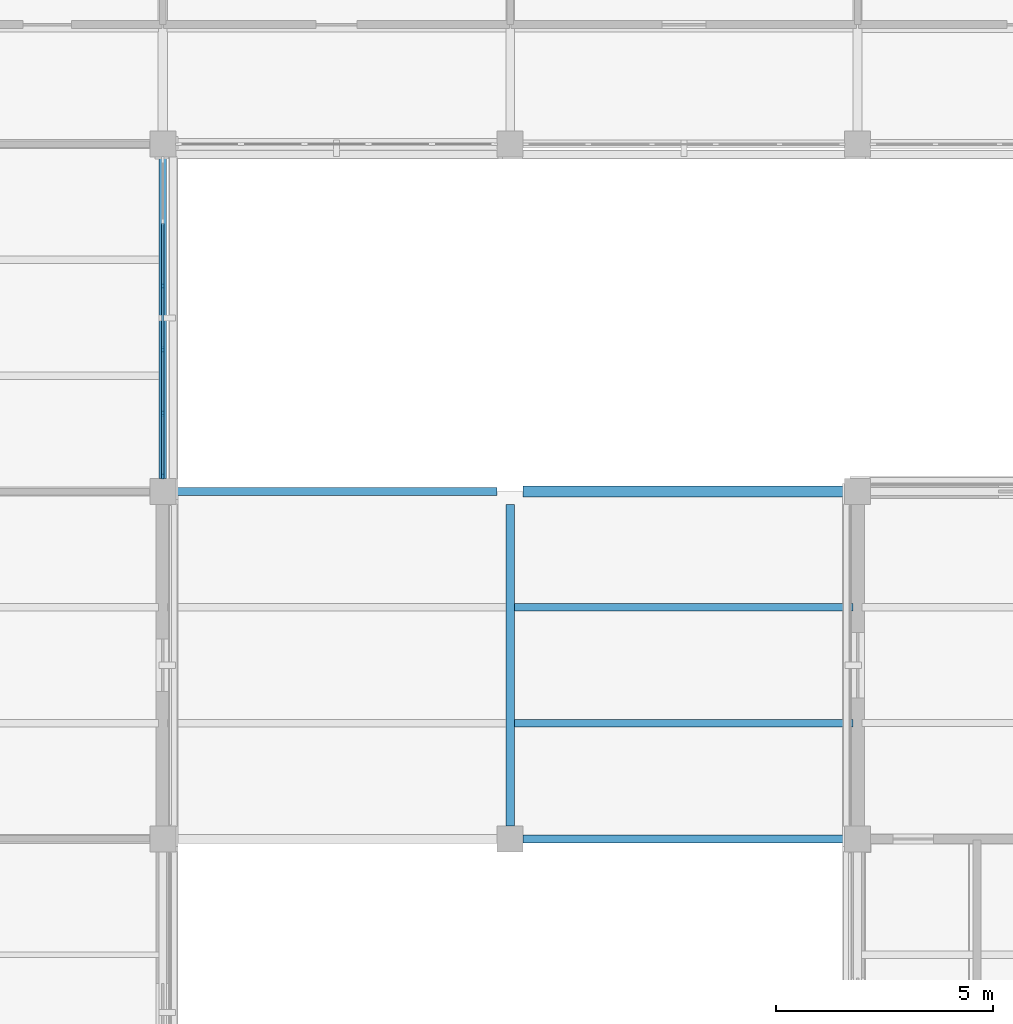
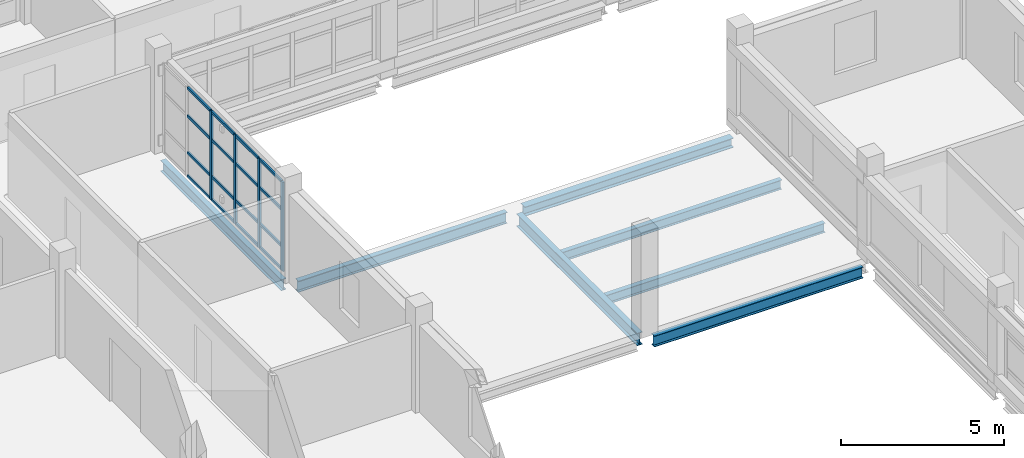
# One storey, part 13 of 126: 20 members, 7 beams, 1 element without a shape of its own.
"""IFC4 building model written with IfcOpenShell, lengths in metres."""

from ifc_helpers import new_model, si_unit, derived_unit, direction, frame, origin, origin_2d, place, context, subcontext, project, spatial, rectangle, i_section, extrude, material, layer, layer_set, material_profile, profile_set, type_object, element, aggregate, save


model = new_model("IFC4")

# Units and contexts
model_context = context("Model", 3, precision=1e-05, world=origin(), true_north=direction((0.0, 1.0)))
body_context = subcontext(model_context, "Body", "Model", "MODEL_VIEW")
ifc_project = project(units=[si_unit("LENGTHUNIT", "METRE"), si_unit("AREAUNIT", "SQUARE_METRE"), si_unit("VOLUMEUNIT", "CUBIC_METRE"), si_unit("PLANEANGLEUNIT", "RADIAN"), si_unit("MASSUNIT", "GRAM", prefix="KILO"), derived_unit("THERMALTRANSMITTANCEUNIT", [(si_unit("MASSUNIT", "GRAM", prefix="KILO"), 1), (si_unit("TIMEUNIT", "SECOND"), -3), (si_unit("THERMODYNAMICTEMPERATUREUNIT", "KELVIN"), -1)])], contexts=[model_context])

# Site, building, storey
site_placement = place(None, origin())
site = spatial("IfcSite", under=ifc_project, at=site_placement, CompositionType="ELEMENT")
building_placement = place(site_placement, origin())
building = spatial("IfcBuilding", under=site, at=building_placement, Name="Veyamyaing Civic Hall", CompositionType="ELEMENT")
storey_placement = place(building_placement, frame((0.0, 0.0, 9.89990234375)))
storey = spatial("IfcBuildingStorey", under=building, at=storey_placement, Name="L02", CompositionType="ELEMENT", Elevation=9.89990234375)

# Beams
ifc_material_1 = material(Name="Steel ASTM A992", Category="steel")
ifc_material_profile_1 = material_profile(ifc_material_1, i_section(OverallWidth=0.194091796875, OverallDepth=0.468994140625, WebThickness=0.0126953125, FlangeThickness=0.0205078125, FilletRadius=0.010009765625, at=origin_2d()), Name="W460X106")
ifc_profile_set_1 = profile_set([ifc_material_profile_1], Name="Steel ASTM A992")
beam_type_1 = type_object("IfcBeamType", Name="B-18", PredefinedType="BEAM", material=ifc_profile_set_1)
beam_1_placement = place(storey_placement, frame((24.0, 32.300048828125, -0.474365234375), z_axis=(0.0, 1.0, 0.0), x_axis=(-1.0, 0.0, 0.0)))
element("IfcBeam", 1, at=beam_1_placement, inside=storey, type_object=beam_type_1, Name="Girder B-18 L02 Grid 4 E-F", PredefinedType="BEAM", context=body_context, shape_type="SweptSolid", body=[
    extrude(i_section(OverallWidth=0.194091796875, OverallDepth=0.468994140625, WebThickness=0.0126953125, FlangeThickness=0.0205078125, FilletRadius=0.010009765625, at=origin_2d()), origin(), (0.0, 0.0, 1.0), 7.39990234375),
])
ifc_material_profile_2 = material_profile(ifc_material_1, i_section(OverallWidth=0.180908203125, OverallDepth=0.4169921875, WebThickness=0.010986328125, FlangeThickness=0.018310546875, FilletRadius=0.010009765625, at=origin_2d()), Name="W410X85")
ifc_profile_set_2 = profile_set([ifc_material_profile_2], Name="Steel ASTM A992")
beam_type_2 = type_object("IfcBeamType", Name="B-19", PredefinedType="SPANDREL", material=ifc_profile_set_2)
for number, where, z_axis, x_axis, name in (
    (2, (24.300048828125, 32.0, -0.448486328125), (1.0, 0.0, 0.0), (0.0, 1.0, 0.0), "Girder B-19 L02 Grid E 4-5"),
    (3, (16.300048828125, 40.0, -0.448486328125), (1.0, 0.0, 0.0), (0.0, 1.0, 0.0), "Girder B-19 L02 Grid F 3-4"),
    (4, (16.0, 40.300048828125, -0.493408203125), (0.0, 1.0, 0.0), (-1.0, 0.0, 0.0), "Girder B-19 L02 Grid 3 F-G"),
):
    element("IfcBeam", number, at=place(storey_placement, frame(where, z_axis=z_axis, x_axis=x_axis)), inside=storey, type_object=beam_type_2, Name=name, PredefinedType="SPANDREL", context=body_context, shape_type="SweptSolid", body=[
        extrude(i_section(OverallWidth=0.180908203125, OverallDepth=0.4169921875, WebThickness=0.010986328125, FlangeThickness=0.018310546875, FilletRadius=0.010009765625, at=origin_2d()), origin(), (0.0, 0.0, 1.0), 7.39990234375),
    ])
ifc_material_profile_3 = material_profile(ifc_material_1, i_section(OverallWidth=0.25390625, OverallDepth=0.35302734375, WebThickness=0.009521484375, FlangeThickness=0.016357421875, FilletRadius=0.011962890625, at=origin_2d()), Name="W360X91")
ifc_profile_set_3 = profile_set([ifc_material_profile_3], Name="Steel ASTM A992")
beam_type_3 = type_object("IfcBeamType", Name="B-20", PredefinedType="SPANDREL", material=ifc_profile_set_3)
beam_2_placement = place(storey_placement, frame((24.300048828125, 40.0, -0.41650390625), z_axis=(1.0, 0.0, 0.0), x_axis=(0.0, 1.0, 0.0)))
element("IfcBeam", 5, at=beam_2_placement, inside=storey, type_object=beam_type_3, Name="Girder B-20 L02 Grid F 4-5", PredefinedType="SPANDREL", context=body_context, shape_type="SweptSolid", body=[
    extrude(i_section(OverallWidth=0.25390625, OverallDepth=0.35302734375, WebThickness=0.009521484375, FlangeThickness=0.016357421875, FilletRadius=0.011962890625, at=origin_2d()), origin(), (0.0, 0.0, 1.0), 7.39990234375),
])

# Curtain wall, members
ifc_material_2 = material(Name="Anodised aluminium 6063-T6", Category="aluminium")
ifc_layer = layer(ifc_material_2, 0.139892578125, Name="Anodised aluminium 6063-T6")
ifc_layer_set = layer_set([ifc_layer], Name="Anodised aluminium 6063-T6")
curtain_wall_type = type_object("IfcCurtainWallType", Name="CW-04", PredefinedType="NOTDEFINED", material=ifc_layer_set)
curtain_wall_placement = place(storey_placement, origin())
curtain_wall = element("IfcCurtainWall", 6, at=curtain_wall_placement, inside=storey, type_object=curtain_wall_type, Name="Unitized curtain wall CW-04 L02 E 2.6", PredefinedType="NOTDEFINED")
ifc_material_profile_4 = material_profile(ifc_material_2, rectangle(XDim=0.06005859375, YDim=0.139892578125, at=origin_2d()), Name="ALU-MUL-60X140")
ifc_profile_set_4 = profile_set([ifc_material_profile_4], Name="Anodised aluminium 6063-T6")
member_type_1 = type_object("IfcMemberType", Name="CWM-03", PredefinedType="MULLION", material=ifc_profile_set_4)
member_1_placement = place(storey_placement, frame((16.0, 40.360107421875, 0.0), z_axis=(0.0, 0.0, 1.0), x_axis=(-1.0, 0.0, 0.0)))
member_1 = element("IfcMember", 7, at=member_1_placement, type_object=member_type_1, Name="CW-04 mullion 1", PredefinedType="MULLION", context=body_context, shape_type="SweptSolid", body=[
    extrude(rectangle(XDim=0.06005859375, YDim=0.139892578125, at=origin_2d()), origin(), (0.0, 0.0, 1.0), 3.343994140625),
])
member_2_placement = place(storey_placement, frame((16.0, 41.798095703125, 0.0), z_axis=(0.0, 0.0, 1.0), x_axis=(-1.0, 0.0, 0.0)))
member_2 = element("IfcMember", 8, at=member_2_placement, type_object=member_type_1, Name="CW-04 mullion 2", PredefinedType="MULLION", context=body_context, shape_type="SweptSolid", body=[
    extrude(rectangle(XDim=0.06005859375, YDim=0.139892578125, at=origin_2d()), origin(), (0.0, 0.0, 1.0), 3.343994140625),
])
member_3_placement = place(storey_placement, frame((16.0, 43.26611328125, 0.0), z_axis=(0.0, 0.0, 1.0), x_axis=(-1.0, 0.0, 0.0)))
member_3 = element("IfcMember", 9, at=member_3_placement, type_object=member_type_1, Name="CW-04 mullion 3", PredefinedType="MULLION", context=body_context, shape_type="SweptSolid", body=[
    extrude(rectangle(XDim=0.06005859375, YDim=0.139892578125, at=origin_2d()), origin(), (0.0, 0.0, 1.0), 3.343994140625),
])
member_4_placement = place(storey_placement, frame((16.0, 44.73388671875, 0.0), z_axis=(0.0, 0.0, 1.0), x_axis=(-1.0, 0.0, 0.0)))
member_4 = element("IfcMember", 10, at=member_4_placement, type_object=member_type_1, Name="CW-04 mullion 4", PredefinedType="MULLION", context=body_context, shape_type="SweptSolid", body=[
    extrude(rectangle(XDim=0.06005859375, YDim=0.139892578125, at=origin_2d()), origin(), (0.0, 0.0, 1.0), 3.343994140625),
])
ifc_material_profile_5 = material_profile(ifc_material_2, rectangle(XDim=0.06005859375, YDim=0.10009765625, at=origin_2d()), Name="ALU-TRN-60X100")
ifc_profile_set_5 = profile_set([ifc_material_profile_5], Name="Anodised aluminium 6063-T6")
member_type_2 = type_object("IfcMemberType", Name="CWT-03", PredefinedType="USERDEFINED", material=ifc_profile_set_5)
member_5_placement = place(storey_placement, frame((16.0, 40.389892578125, 0.030029296875), z_axis=(0.0, 1.0, 0.0), x_axis=(-1.0, 0.0, 0.0)))
member_5 = element("IfcMember", 11, at=member_5_placement, type_object=member_type_2, Name="CW-04 transom 1.1", ObjectType="TRANSOM", PredefinedType="USERDEFINED", context=body_context, shape_type="SweptSolid", body=[
    extrude(rectangle(XDim=0.06005859375, YDim=0.10009765625, at=origin_2d()), origin(), (0.0, 0.0, 1.0), 1.378173828125),
])
member_6_placement = place(storey_placement, frame((16.0, 40.389892578125, 0.900146484375), z_axis=(0.0, 1.0, 0.0), x_axis=(-1.0, 0.0, 0.0)))
member_6 = element("IfcMember", 12, at=member_6_placement, type_object=member_type_2, Name="CW-04 transom 1.2", ObjectType="TRANSOM", PredefinedType="USERDEFINED", context=body_context, shape_type="SweptSolid", body=[
    extrude(rectangle(XDim=0.06005859375, YDim=0.10009765625, at=origin_2d()), origin(), (0.0, 0.0, 1.0), 1.378173828125),
])
member_7_placement = place(storey_placement, frame((16.0, 40.389892578125, 2.27392578125), z_axis=(0.0, 1.0, 0.0), x_axis=(-1.0, 0.0, 0.0)))
member_7 = element("IfcMember", 13, at=member_7_placement, type_object=member_type_2, Name="CW-04 transom 1.3", ObjectType="TRANSOM", PredefinedType="USERDEFINED", context=body_context, shape_type="SweptSolid", body=[
    extrude(rectangle(XDim=0.06005859375, YDim=0.10009765625, at=origin_2d()), origin(), (0.0, 0.0, 1.0), 1.378173828125),
])
member_8_placement = place(storey_placement, frame((16.0, 40.389892578125, 3.314208984375), z_axis=(0.0, 1.0, 0.0), x_axis=(-1.0, 0.0, 0.0)))
member_8 = element("IfcMember", 14, at=member_8_placement, type_object=member_type_2, Name="CW-04 transom 1.4", ObjectType="TRANSOM", PredefinedType="USERDEFINED", context=body_context, shape_type="SweptSolid", body=[
    extrude(rectangle(XDim=0.06005859375, YDim=0.10009765625, at=origin_2d()), origin(), (0.0, 0.0, 1.0), 1.378173828125),
])
member_9_placement = place(storey_placement, frame((16.0, 41.827880859375, 0.030029296875), z_axis=(0.0, 1.0, 0.0), x_axis=(-1.0, 0.0, 0.0)))
member_9 = element("IfcMember", 15, at=member_9_placement, type_object=member_type_2, Name="CW-04 transom 2.1", ObjectType="TRANSOM", PredefinedType="USERDEFINED", context=body_context, shape_type="SweptSolid", body=[
    extrude(rectangle(XDim=0.06005859375, YDim=0.10009765625, at=origin_2d()), origin(), (0.0, 0.0, 1.0), 1.408203125),
])
member_10_placement = place(storey_placement, frame((16.0, 41.827880859375, 0.900146484375), z_axis=(0.0, 1.0, 0.0), x_axis=(-1.0, 0.0, 0.0)))
member_10 = element("IfcMember", 16, at=member_10_placement, type_object=member_type_2, Name="CW-04 transom 2.2", ObjectType="TRANSOM", PredefinedType="USERDEFINED", context=body_context, shape_type="SweptSolid", body=[
    extrude(rectangle(XDim=0.06005859375, YDim=0.10009765625, at=origin_2d()), origin(), (0.0, 0.0, 1.0), 1.408203125),
])
member_11_placement = place(storey_placement, frame((16.0, 41.827880859375, 2.27392578125), z_axis=(0.0, 1.0, 0.0), x_axis=(-1.0, 0.0, 0.0)))
member_11 = element("IfcMember", 17, at=member_11_placement, type_object=member_type_2, Name="CW-04 transom 2.3", ObjectType="TRANSOM", PredefinedType="USERDEFINED", context=body_context, shape_type="SweptSolid", body=[
    extrude(rectangle(XDim=0.06005859375, YDim=0.10009765625, at=origin_2d()), origin(), (0.0, 0.0, 1.0), 1.408203125),
])
member_12_placement = place(storey_placement, frame((16.0, 41.827880859375, 3.314208984375), z_axis=(0.0, 1.0, 0.0), x_axis=(-1.0, 0.0, 0.0)))
member_12 = element("IfcMember", 18, at=member_12_placement, type_object=member_type_2, Name="CW-04 transom 2.4", ObjectType="TRANSOM", PredefinedType="USERDEFINED", context=body_context, shape_type="SweptSolid", body=[
    extrude(rectangle(XDim=0.06005859375, YDim=0.10009765625, at=origin_2d()), origin(), (0.0, 0.0, 1.0), 1.408203125),
])
member_13_placement = place(storey_placement, frame((16.0, 43.2958984375, 0.030029296875), z_axis=(0.0, 1.0, 0.0), x_axis=(-1.0, 0.0, 0.0)))
member_13 = element("IfcMember", 19, at=member_13_placement, type_object=member_type_2, Name="CW-04 transom 3.1", ObjectType="TRANSOM", PredefinedType="USERDEFINED", context=body_context, shape_type="SweptSolid", body=[
    extrude(rectangle(XDim=0.06005859375, YDim=0.10009765625, at=origin_2d()), origin(), (0.0, 0.0, 1.0), 1.408203125),
])
member_14_placement = place(storey_placement, frame((16.0, 43.2958984375, 0.900146484375), z_axis=(0.0, 1.0, 0.0), x_axis=(-1.0, 0.0, 0.0)))
member_14 = element("IfcMember", 20, at=member_14_placement, type_object=member_type_2, Name="CW-04 transom 3.2", ObjectType="TRANSOM", PredefinedType="USERDEFINED", context=body_context, shape_type="SweptSolid", body=[
    extrude(rectangle(XDim=0.06005859375, YDim=0.10009765625, at=origin_2d()), origin(), (0.0, 0.0, 1.0), 1.408203125),
])
member_15_placement = place(storey_placement, frame((16.0, 43.2958984375, 2.27392578125), z_axis=(0.0, 1.0, 0.0), x_axis=(-1.0, 0.0, 0.0)))
member_15 = element("IfcMember", 21, at=member_15_placement, type_object=member_type_2, Name="CW-04 transom 3.3", ObjectType="TRANSOM", PredefinedType="USERDEFINED", context=body_context, shape_type="SweptSolid", body=[
    extrude(rectangle(XDim=0.06005859375, YDim=0.10009765625, at=origin_2d()), origin(), (0.0, 0.0, 1.0), 1.408203125),
])
member_16_placement = place(storey_placement, frame((16.0, 43.2958984375, 3.314208984375), z_axis=(0.0, 1.0, 0.0), x_axis=(-1.0, 0.0, 0.0)))
member_16 = element("IfcMember", 22, at=member_16_placement, type_object=member_type_2, Name="CW-04 transom 3.4", ObjectType="TRANSOM", PredefinedType="USERDEFINED", context=body_context, shape_type="SweptSolid", body=[
    extrude(rectangle(XDim=0.06005859375, YDim=0.10009765625, at=origin_2d()), origin(), (0.0, 0.0, 1.0), 1.408203125),
])
member_17_placement = place(storey_placement, frame((16.0, 44.763916015625, 0.030029296875), z_axis=(0.0, 1.0, 0.0), x_axis=(-1.0, 0.0, 0.0)))
member_17 = element("IfcMember", 23, at=member_17_placement, type_object=member_type_2, Name="CW-04 transom 4.1", ObjectType="TRANSOM", PredefinedType="USERDEFINED", context=body_context, shape_type="SweptSolid", body=[
    extrude(rectangle(XDim=0.06005859375, YDim=0.10009765625, at=origin_2d()), origin(), (0.0, 0.0, 1.0), 1.408203125),
])
member_18_placement = place(storey_placement, frame((16.0, 44.763916015625, 0.900146484375), z_axis=(0.0, 1.0, 0.0), x_axis=(-1.0, 0.0, 0.0)))
member_18 = element("IfcMember", 24, at=member_18_placement, type_object=member_type_2, Name="CW-04 transom 4.2", ObjectType="TRANSOM", PredefinedType="USERDEFINED", context=body_context, shape_type="SweptSolid", body=[
    extrude(rectangle(XDim=0.06005859375, YDim=0.10009765625, at=origin_2d()), origin(), (0.0, 0.0, 1.0), 1.408203125),
])
member_19_placement = place(storey_placement, frame((16.0, 44.763916015625, 2.27392578125), z_axis=(0.0, 1.0, 0.0), x_axis=(-1.0, 0.0, 0.0)))
member_19 = element("IfcMember", 25, at=member_19_placement, type_object=member_type_2, Name="CW-04 transom 4.3", ObjectType="TRANSOM", PredefinedType="USERDEFINED", context=body_context, shape_type="SweptSolid", body=[
    extrude(rectangle(XDim=0.06005859375, YDim=0.10009765625, at=origin_2d()), origin(), (0.0, 0.0, 1.0), 1.408203125),
])
member_20_placement = place(storey_placement, frame((16.0, 44.763916015625, 3.314208984375), z_axis=(0.0, 1.0, 0.0), x_axis=(-1.0, 0.0, 0.0)))
member_20 = element("IfcMember", 26, at=member_20_placement, type_object=member_type_2, Name="CW-04 transom 4.4", ObjectType="TRANSOM", PredefinedType="USERDEFINED", context=body_context, shape_type="SweptSolid", body=[
    extrude(rectangle(XDim=0.06005859375, YDim=0.10009765625, at=origin_2d()), origin(), (0.0, 0.0, 1.0), 1.408203125),
])
aggregate(curtain_wall, [member_1, member_2, member_3, member_4, member_5, member_6, member_7, member_8, member_9, member_10, member_11, member_12, member_13, member_14, member_15, member_16, member_17, member_18, member_19, member_20])

# Beams
ifc_material_profile_6 = material_profile(ifc_material_1, i_section(OverallWidth=0.1708984375, OverallDepth=0.35205078125, WebThickness=0.0068359375, FlangeThickness=0.009765625, FilletRadius=0.010009765625, at=origin_2d()), Name="W360X44")
ifc_profile_set_6 = profile_set([ifc_material_profile_6], Name="Steel ASTM A992")
beam_type_4 = type_object("IfcBeamType", Name="J-03", PredefinedType="JOIST", material=ifc_profile_set_6)
for number, where, z_axis, x_axis, name in (
    (27, (24.094970703125, 34.666748046875, -0.4609375), (1.0, 0.0, 0.0), (0.0, 1.0, 0.0), "Composite floor joist J-03 L02 4.5.1"),
    (28, (24.094970703125, 37.333251953125, -0.4609375), (1.0, 0.0, 0.0), (0.0, 1.0, 0.0), "Composite floor joist J-03 L02 4.5.2"),
):
    element("IfcBeam", number, at=place(storey_placement, frame(where, z_axis=z_axis, x_axis=x_axis)), inside=storey, type_object=beam_type_4, Name=name, PredefinedType="JOIST", context=body_context, shape_type="SweptSolid", body=[
        extrude(i_section(OverallWidth=0.1708984375, OverallDepth=0.35205078125, WebThickness=0.0068359375, FlangeThickness=0.009765625, FilletRadius=0.010009765625, at=origin_2d()), origin(), (0.0, 0.0, 1.0), 7.802490234375),
    ])

save(model, "model.ifc")
